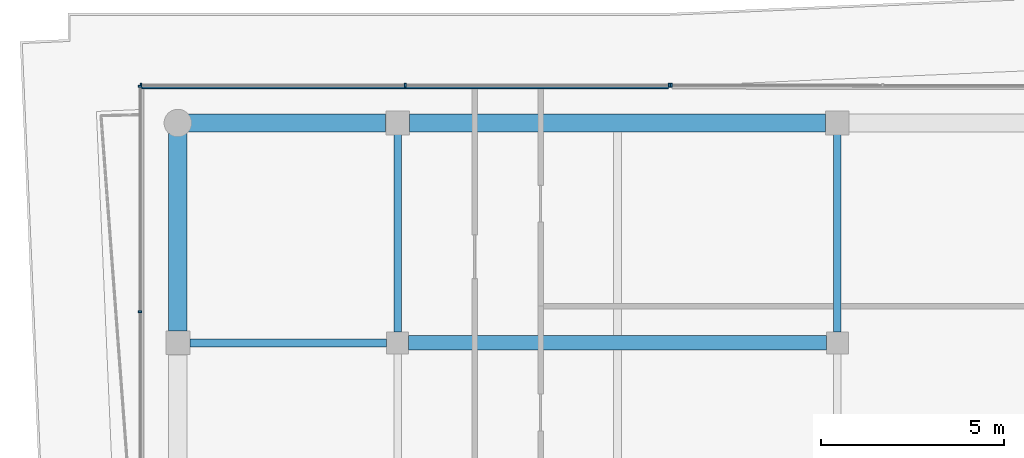
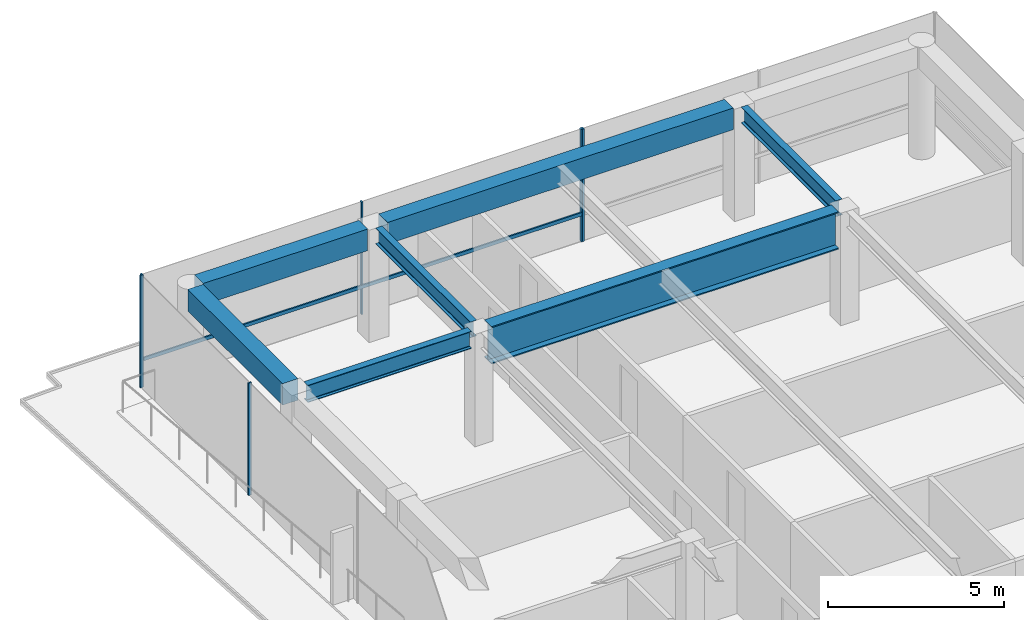
# One storey, part 12 of 19: 7 beams, 7 members, 3 elements without a shape of their own.
"""IFC4 building model written with IfcOpenShell, lengths in metres."""

from ifc_helpers import new_model, si_unit, direction, frame, origin, origin_2d, place, context, subcontext, project, spatial, rectangle, i_section, extrude, material, layer, layer_set, material_profile, profile_set, type_object, element, aggregate, save


model = new_model("IFC4")

# Units and contexts
model_context = context("Model", 3, precision=1e-05, world=origin(), true_north=direction((0.0, 1.0)))
body_context = subcontext(model_context, "Body", "Model", "MODEL_VIEW")
ifc_project = project(units=[si_unit("LENGTHUNIT", "METRE"), si_unit("AREAUNIT", "SQUARE_METRE"), si_unit("VOLUMEUNIT", "CUBIC_METRE"), si_unit("PLANEANGLEUNIT", "RADIAN"), si_unit("MASSUNIT", "GRAM", prefix="KILO")], contexts=[model_context])

# Site, building, storey
site_placement = place(None, origin())
site = spatial("IfcSite", under=ifc_project, at=site_placement, CompositionType="ELEMENT")
building_placement = place(site_placement, origin())
building = spatial("IfcBuilding", under=site, at=building_placement, Name="Welwitschia Terrace Campus", CompositionType="ELEMENT")
storey_placement = place(building_placement, frame((0.0, 0.0, 323.0)))
storey = spatial("IfcBuildingStorey", under=building, at=storey_placement, Name="L72", CompositionType="ELEMENT", Elevation=323.0)

# Beams
ifc_material_1 = material(Name="Steel S355", Category="steel")
ifc_material_profile_1 = material_profile(ifc_material_1, i_section(OverallWidth=0.2099609375, OverallDepth=0.550048828125, WebThickness=0.010986328125, FlangeThickness=0.01708984375, FilletRadius=0.02392578125, at=origin_2d()))
ifc_profile_set_1 = profile_set([ifc_material_profile_1], Name="Steel S355")
beam_type_1 = type_object("IfcBeamType", Name="Interior girder IPE 550", PredefinedType="BEAM", material=ifc_profile_set_1)
for number, where, z_axis, x_axis, name in (
    (1, (6.0, 44.300537109375, 3.625), (0.0, 1.0, 0.0), (-1.0, 0.0, 0.0), "Girder GB7"),
    (2, (18.0, 44.300537109375, 3.625), (0.0, 1.0, 0.0), (-1.0, 0.0, 0.0), "Girder GB7"),
):
    element("IfcBeam", number, at=place(storey_placement, frame(where, z_axis=z_axis, x_axis=x_axis)), inside=storey, type_object=beam_type_1, Name=name, PredefinedType="BEAM", context=body_context, shape_type="SweptSolid", body=[
        extrude(i_section(OverallWidth=0.2099609375, OverallDepth=0.550048828125, WebThickness=0.010986328125, FlangeThickness=0.01708984375, FilletRadius=0.02392578125, at=origin_2d()), origin(), (0.0, 0.0, 1.0), 5.384033203125),
    ])

# Curtain wall, member
ifc_material_2 = material(Name="Bronze anodised aluminium", Category="aluminium")
ifc_layer = layer(ifc_material_2, 0.10009765625)
ifc_layer_set = layer_set([ifc_layer], Name="Bronze anodised aluminium")
curtain_wall_type = type_object("IfcCurtainWallType", Name="Curtain wall CW5 crown 6000", PredefinedType="NOTDEFINED", material=ifc_layer_set)
curtain_wall_1_placement = place(storey_placement, origin())
curtain_wall_1 = element("IfcCurtainWall", 3, at=curtain_wall_1_placement, inside=storey, type_object=curtain_wall_type, Name="CW L72.7.0", PredefinedType="NOTDEFINED")
ifc_material_3 = material(Name="Bronze anodised aluminium", Category="aluminium")
ifc_material_profile_2 = material_profile(ifc_material_3, rectangle(XDim=0.10009765625, YDim=0.050048828125, at=origin_2d()))
ifc_profile_set_2 = profile_set([ifc_material_profile_2], Name="Bronze anodised aluminium")
member_type_1 = type_object("IfcMemberType", Name="Mullion 50x100", PredefinedType="MULLION", material=ifc_profile_set_2)
member_1_placement = place(storey_placement, frame((13.467529296875, 51.030029296875, 0.0), z_axis=(0.0, 0.0, 1.0), x_axis=(-0.000770424698, -0.999999703223, 0.0)))
member_1 = element("IfcMember", 4, at=member_1_placement, type_object=member_type_1, Name="Mullion L72.7.0.2", PredefinedType="MULLION", context=body_context, shape_type="SweptSolid", body=[
    extrude(rectangle(XDim=0.10009765625, YDim=0.050048828125, at=origin_2d()), origin(), (0.0, 0.0, 1.0), 3.89990234375),
])
aggregate(curtain_wall_1, [member_1])

# Curtain wall, members
curtain_wall_2_placement = place(storey_placement, origin())
curtain_wall_2 = element("IfcCurtainWall", 5, at=curtain_wall_2_placement, inside=storey, type_object=curtain_wall_type, Name="CW L72.8.0", PredefinedType="NOTDEFINED")
member_2_placement = place(storey_placement, frame((13.41748046875, 51.030029296875, 0.0), z_axis=(0.0, 0.0, 1.0), x_axis=(0.0, -1.0, 0.0)))
member_2 = element("IfcMember", 6, at=member_2_placement, type_object=member_type_1, Name="Mullion L72.8.0.0", PredefinedType="MULLION", context=body_context, shape_type="SweptSolid", body=[
    extrude(rectangle(XDim=0.10009765625, YDim=0.050048828125, at=origin_2d()), origin(), (0.0, 0.0, 1.0), 3.89990234375),
])
member_3_placement = place(storey_placement, frame((6.206298828125, 51.030029296875, 0.0), z_axis=(0.0, 0.0, 1.0), x_axis=(0.0, -1.0, 0.0)))
member_3 = element("IfcMember", 7, at=member_3_placement, type_object=member_type_1, Name="Mullion L72.8.0.1", PredefinedType="MULLION", context=body_context, shape_type="SweptSolid", body=[
    extrude(rectangle(XDim=0.10009765625, YDim=0.050048828125, at=origin_2d()), origin(), (0.0, 0.0, 1.0), 3.89990234375),
])
member_4_placement = place(storey_placement, frame((-1.0048828125, 51.030029296875, 0.0), z_axis=(0.0, 0.0, 1.0), x_axis=(0.0, -1.0, 0.0)))
member_4 = element("IfcMember", 8, at=member_4_placement, type_object=member_type_1, Name="Mullion L72.8.0.2", PredefinedType="MULLION", context=body_context, shape_type="SweptSolid", body=[
    extrude(rectangle(XDim=0.10009765625, YDim=0.050048828125, at=origin_2d()), origin(), (0.0, 0.0, 1.0), 3.89990234375),
])

curtain_wall_3_placement = place(storey_placement, origin())
curtain_wall_3 = element("IfcCurtainWall", 9, at=curtain_wall_3_placement, inside=storey, type_object=curtain_wall_type, Name="CW L72.9.0", PredefinedType="NOTDEFINED")
member_5_placement = place(storey_placement, frame((-1.030029296875, 51.0048828125, 0.0), z_axis=(0.0, 0.0, 1.0), x_axis=(1.0, 0.0, 0.0)))
member_5 = element("IfcMember", 10, at=member_5_placement, type_object=member_type_1, Name="Mullion L72.9.0.0", PredefinedType="MULLION", context=body_context, shape_type="SweptSolid", body=[
    extrude(rectangle(XDim=0.10009765625, YDim=0.050048828125, at=origin_2d()), origin(), (0.0, 0.0, 1.0), 3.89990234375),
])
member_6_placement = place(storey_placement, frame((-1.030029296875, 44.847900390625, 0.0), z_axis=(0.0, 0.0, 1.0), x_axis=(1.0, 0.0, 0.0)))
member_6 = element("IfcMember", 11, at=member_6_placement, type_object=member_type_1, Name="Mullion L72.9.0.1", PredefinedType="MULLION", context=body_context, shape_type="SweptSolid", body=[
    extrude(rectangle(XDim=0.10009765625, YDim=0.050048828125, at=origin_2d()), origin(), (0.0, 0.0, 1.0), 3.89990234375),
])
aggregate(curtain_wall_3, [member_5, member_6])

# Beams
ifc_material_4 = material(Name="Steel S355", Category="steel")
ifc_material_profile_3 = material_profile(ifc_material_4, i_section(OverallWidth=0.219970703125, OverallDepth=0.60009765625, WebThickness=0.011962890625, FlangeThickness=0.01904296875, FilletRadius=0.02392578125, at=origin_2d()))
ifc_profile_set_3 = profile_set([ifc_material_profile_3], Name="Steel S355")
beam_type_2 = type_object("IfcBeamType", Name="Primary beam IPE 600", PredefinedType="BEAM", material=ifc_profile_set_3)
beam_1_placement = place(storey_placement, frame((0.325439453125, 44.0, 3.60009765625), z_axis=(1.0, 0.0, 0.0), x_axis=(0.0, 1.0, 0.0)))
element("IfcBeam", 12, at=beam_1_placement, inside=storey, type_object=beam_type_2, Name="Primary beam PB7", PredefinedType="BEAM", context=body_context, shape_type="SweptSolid", body=[
    extrude(i_section(OverallWidth=0.219970703125, OverallDepth=0.60009765625, WebThickness=0.011962890625, FlangeThickness=0.01904296875, FilletRadius=0.02392578125, at=origin_2d()), origin(), (0.0, 0.0, 1.0), 5.3740234375),
])
ifc_material_5 = material(Name="Concrete C40/50", Category="concrete")
ifc_material_profile_4 = material_profile(ifc_material_5, rectangle(XDim=0.5, YDim=0.75, at=origin_2d()))
ifc_profile_set_4 = profile_set([ifc_material_profile_4], Name="Concrete C40/50")
beam_type_3 = type_object("IfcBeamType", Name="Ring spandrel 500x750", PredefinedType="SPANDREL", material=ifc_profile_set_4)
beam_2_placement = place(storey_placement, frame((17.674560546875, 50.0, 3.52490234375), z_axis=(-1.0, 0.0, 0.0), x_axis=(0.0, -1.0, 0.0)))
element("IfcBeam", 13, at=beam_2_placement, inside=storey, type_object=beam_type_3, Name="Spandrel SP5", PredefinedType="SPANDREL", context=body_context, shape_type="SweptSolid", body=[
    extrude(rectangle(XDim=0.5, YDim=0.75, at=origin_2d()), origin(), (0.0, 0.0, 1.0), 11.34912109375),
])
for number, where, z_axis, x_axis, name in (
    (14, (5.674560546875, 50.0, 3.52490234375), (-1.0, 0.0, 0.0), (0.0, -1.0, 0.0), "Spandrel SP5"),
    (15, (0.0, 49.719482421875, 3.52490234375), (0.0, -1.0, 0.0), (1.0, 0.0, 0.0), "Spandrel SP5"),
):
    element("IfcBeam", number, at=place(storey_placement, frame(where, z_axis=z_axis, x_axis=x_axis)), inside=storey, type_object=beam_type_3, Name=name, PredefinedType="SPANDREL", context=body_context, shape_type="SweptSolid", body=[
        extrude(rectangle(XDim=0.5, YDim=0.75, at=origin_2d()), origin(), (0.0, 0.0, 1.0), 5.39404296875),
    ])
ifc_material_6 = material(Name="Steel S355", Category="steel")
ifc_material_profile_5 = material_profile(ifc_material_6, i_section(OverallWidth=0.39990234375, OverallDepth=1.300048828125, WebThickness=0.02490234375, FlangeThickness=0.0400390625, at=origin_2d()))
ifc_profile_set_5 = profile_set([ifc_material_profile_5], Name="Steel S355")
beam_type_4 = type_object("IfcBeamType", Name="Transfer girder WI 1300x400x25x40", PredefinedType="BEAM", material=ifc_profile_set_5)
beam_3_placement = place(storey_placement, frame((6.300537109375, 44.0, 3.25), z_axis=(1.0, 0.0, 0.0), x_axis=(0.0, 1.0, 0.0)))
element("IfcBeam", 16, at=beam_3_placement, inside=storey, type_object=beam_type_4, Name="Transfer girder TG1", PredefinedType="BEAM", context=body_context, shape_type="SweptSolid", body=[
    extrude(i_section(OverallWidth=0.39990234375, OverallDepth=1.300048828125, WebThickness=0.02490234375, FlangeThickness=0.0400390625, at=origin_2d()), origin(), (0.0, 0.0, 1.0), 11.39892578125),
])

# Member
ifc_material_7 = material(Name="Bronze anodised aluminium", Category="aluminium")
ifc_material_profile_6 = material_profile(ifc_material_7, rectangle(XDim=0.050048828125, YDim=0.1201171875, at=origin_2d()))
ifc_profile_set_6 = profile_set([ifc_material_profile_6], Name="Bronze anodised aluminium")
member_type_2 = type_object("IfcMemberType", Name="Transom 50x120", PredefinedType="USERDEFINED", material=ifc_profile_set_6)
member_7_placement = place(storey_placement, frame((13.392578125, 50.955078125, 1.0), z_axis=(-1.0, 0.0, 0.0), x_axis=(0.0, -1.0, 0.0)))
member_7 = element("IfcMember", 17, at=member_7_placement, type_object=member_type_2, Name="Transom L72.8.0", ObjectType="TRANSOM", PredefinedType="USERDEFINED", context=body_context, shape_type="SweptSolid", body=[
    extrude(rectangle(XDim=0.050048828125, YDim=0.1201171875, at=origin_2d()), origin(), (0.0, 0.0, 1.0), 14.37255859375),
])

aggregate(curtain_wall_2, [member_2, member_3, member_4, member_7])

save(model, "model.ifc")
